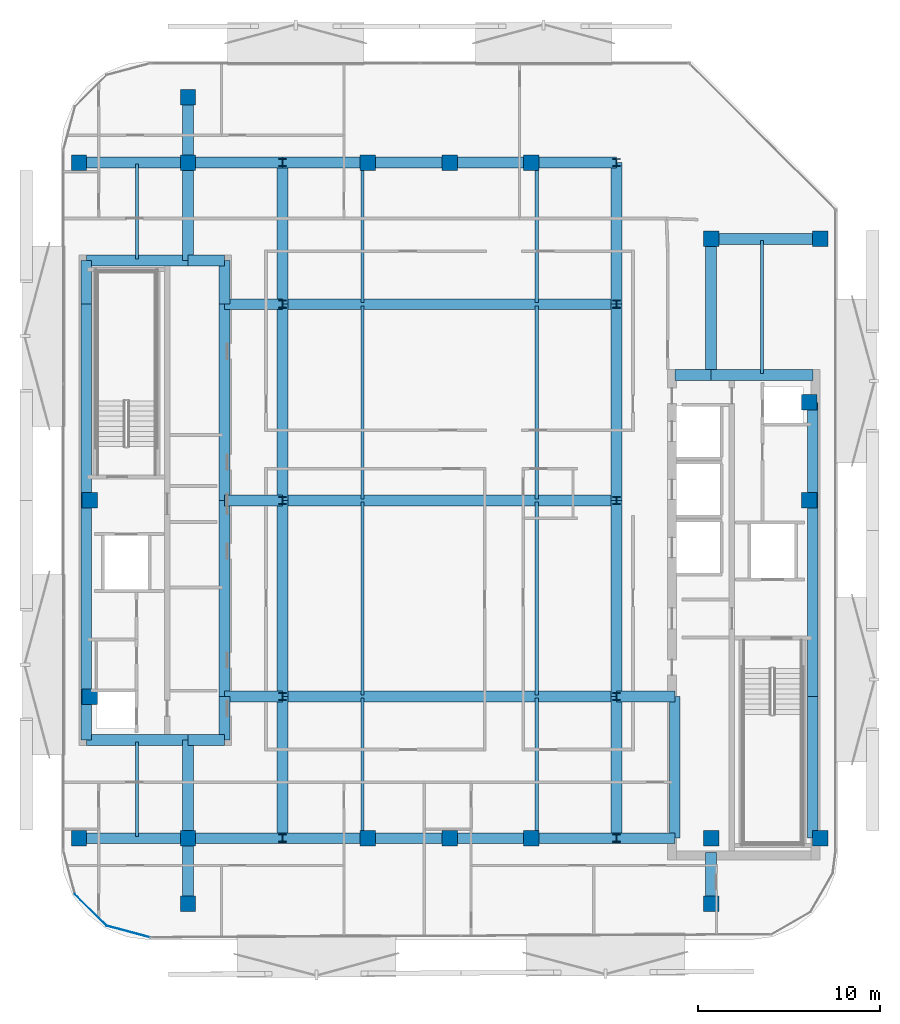
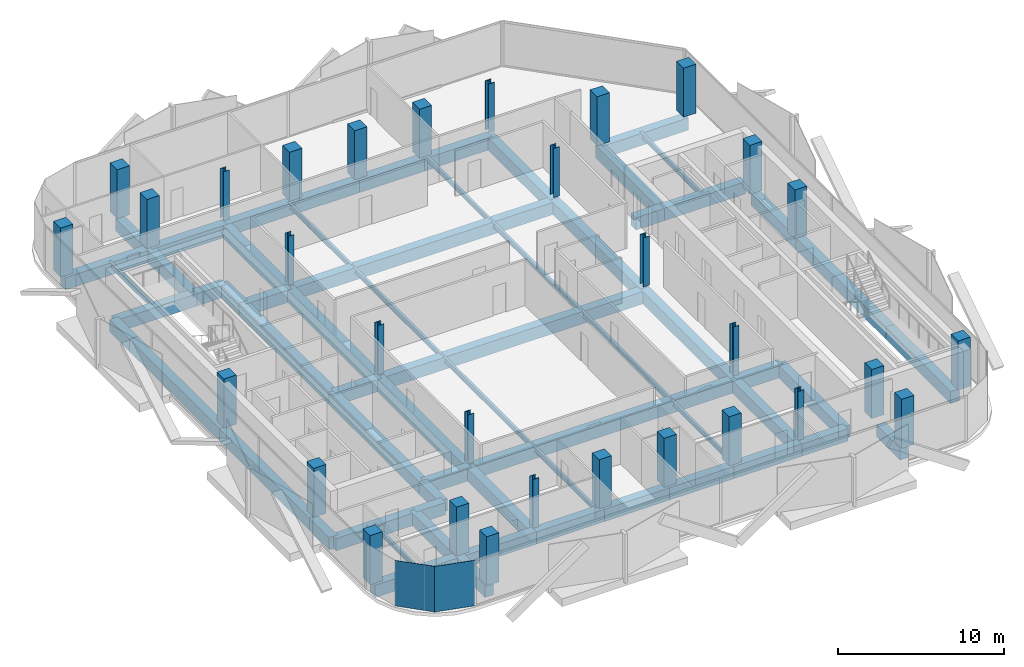
# One storey, part 1 of 15: 64 beams, 31 columns, 2 plates.
"""IFC4 building model written with IfcOpenShell, lengths in metres."""

from ifc_helpers import new_model, si_unit, direction, frame, origin, origin_2d, place, context, subcontext, project, spatial, rectangle, i_section, extrude, material, layer, layer_set, material_profile, profile_set, type_object, element, save


model = new_model("IFC4")

# Units and contexts
model_context = context("Model", 3, precision=1e-05, world=origin(), true_north=direction((0.0, 1.0)))
body_context = subcontext(model_context, "Body", "Model", "MODEL_VIEW")
ifc_project = project(units=[si_unit("LENGTHUNIT", "METRE"), si_unit("AREAUNIT", "SQUARE_METRE"), si_unit("VOLUMEUNIT", "CUBIC_METRE"), si_unit("PLANEANGLEUNIT", "RADIAN"), si_unit("MASSUNIT", "GRAM", prefix="KILO")], contexts=[model_context])

# Site, building, storey
site_placement = place(None, origin())
site = spatial("IfcSite", under=ifc_project, at=site_placement, CompositionType="ELEMENT")
building_placement = place(site_placement, origin())
building = spatial("IfcBuilding", under=site, at=building_placement, Name="Khairoan Windgate Tower", CompositionType="ELEMENT")
storey_placement = place(building_placement, frame((0.0, 0.0, 265.60009765625)))
storey = spatial("IfcBuildingStorey", under=building, at=storey_placement, Name="L63", CompositionType="ELEMENT", Elevation=265.60009765625)

# Columns
ifc_material_1 = material(Name="Concrete C50/60", Category="concrete")
ifc_material_profile_1 = material_profile(ifc_material_1, rectangle(XDim=0.85009765625, YDim=0.85009765625, at=origin_2d()))
ifc_profile_set_1 = profile_set([ifc_material_profile_1], Name="Concrete C50/60")
column_type_1 = type_object("IfcColumnType", Name="Column C-T5 RC850x850", PredefinedType="COLUMN", material=ifc_profile_set_1)
for number, where, z_axis, x_axis, name in (
    (1, (-20.39990234375, -18.60009765625, 0.0), (0.0, 0.0, 1.0), (1.0, 0.0, 0.0), "Column L63-11"),
    (2, (-20.39990234375, 18.60009765625, 0.0), (0.0, 0.0, 1.0), (1.0, 0.0, 0.0), "Column L63-12"),
    (3, (20.39990234375, -18.60009765625, 0.0), (0.0, 0.0, 1.0), (1.0, 0.0, 0.0), "Column L63-13"),
    (4, (20.39990234375, 14.39990234375, 0.0), (0.0, 0.0, 1.0), (1.0, 0.0, 0.0), "Column L63-14"),
    (5, (-14.39990234375, -18.60009765625, 0.0), (0.0, 0.0, 1.0), (1.0, 0.0, 0.0), "Column L63-15"),
    (6, (-14.39990234375, 18.60009765625, 0.0), (0.0, 0.0, 1.0), (1.0, 0.0, 0.0), "Column L63-16"),
    (7, (14.39990234375, -18.60009765625, 0.0), (0.0, 0.0, 1.0), (1.0, 0.0, 0.0), "Column L63-17"),
    (8, (14.39990234375, 14.39990234375, 0.0), (0.0, 0.0, 1.0), (1.0, 0.0, 0.0), "Column L63-18"),
    (9, (-4.5, -18.60009765625, 0.0), (0.0, 0.0, 1.0), (1.0, 0.0, 0.0), "Column L63-19"),
    (10, (0.0, -18.60009765625, 0.0), (0.0, 0.0, 1.0), (1.0, 0.0, 0.0), "Column L63-20"),
    (11, (4.5, -18.60009765625, 0.0), (0.0, 0.0, 1.0), (1.0, 0.0, 0.0), "Column L63-21"),
    (12, (-4.5, 18.60009765625, 0.0), (0.0, 0.0, 1.0), (1.0, 0.0, 0.0), "Column L63-22"),
    (13, (0.0, 18.60009765625, 0.0), (0.0, 0.0, 1.0), (1.0, 0.0, 0.0), "Column L63-23"),
    (14, (4.5, 18.60009765625, 0.0), (0.0, 0.0, 1.0), (1.0, 0.0, 0.0), "Column L63-24"),
    (15, (-19.800048828125, -10.800048828125, 0.0), (0.0, 0.0, 1.0), (1.0, 0.0, 0.0), "Column L63-25"),
    (16, (-19.800048828125, 0.0, 0.0), (0.0, 0.0, 1.0), (1.0, 0.0, 0.0), "Column L63-26"),
    (17, (19.800048828125, 0.0, 0.0), (0.0, 0.0, 1.0), (1.0, 0.0, 0.0), "Column L63-27"),
    (18, (19.800048828125, 5.39990234375, 0.0), (0.0, 0.0, 1.0), (1.0, 0.0, 0.0), "Column L63-28"),
    (19, (-14.39990234375, -22.199951171875, 0.0), (0.0, 0.0, 1.0), (1.0, 0.0, 0.0), "Column L63-29"),
    (20, (-14.39990234375, 22.199951171875, 0.0), (0.0, 0.0, 1.0), (1.0, 0.0, 0.0), "Column L63-30"),
    (21, (14.39990234375, -22.199951171875, 0.0), (0.0, 0.0, 1.0), (1.0, 0.0, 0.0), "Column L63-31"),
):
    element("IfcColumn", number, at=place(storey_placement, frame(where, z_axis=z_axis, x_axis=x_axis)), inside=storey, type_object=column_type_1, Name=name, PredefinedType="COLUMN", context=body_context, shape_type="SweptSolid", body=[
        extrude(rectangle(XDim=0.85009765625, YDim=0.85009765625, at=origin_2d()), origin(), (0.0, 0.0, 1.0), 3.599853515625),
    ])
ifc_material_2 = material(Name="Steel S355", Category="steel")
ifc_material_profile_2 = material_profile(ifc_material_2, i_section(OverallWidth=0.406982421875, OverallDepth=0.427978515625, WebThickness=0.02001953125, FlangeThickness=0.034912109375, FilletRadius=0.02197265625, at=origin_2d()))
ifc_profile_set_2 = profile_set([ifc_material_profile_2], Name="Steel S355")
column_type_2 = type_object("IfcColumnType", Name="Steel Column SC3 H428x407x20x35", PredefinedType="COLUMN", material=ifc_profile_set_2)
for number, where, z_axis, x_axis, name in (
    (22, (-9.199951171875, -18.60009765625, 0.0), (0.0, 0.0, 1.0), (1.0, 0.0, 0.0), "Column L63-01"),
    (23, (-9.199951171875, -10.800048828125, 0.0), (0.0, 0.0, 1.0), (1.0, 0.0, 0.0), "Column L63-02"),
    (24, (-9.199951171875, 0.0, 0.0), (0.0, 0.0, 1.0), (1.0, 0.0, 0.0), "Column L63-03"),
    (25, (-9.199951171875, 10.800048828125, 0.0), (0.0, 0.0, 1.0), (1.0, 0.0, 0.0), "Column L63-04"),
    (26, (-9.199951171875, 18.60009765625, 0.0), (0.0, 0.0, 1.0), (1.0, 0.0, 0.0), "Column L63-05"),
    (27, (9.199951171875, -18.60009765625, 0.0), (0.0, 0.0, 1.0), (1.0, 0.0, 0.0), "Column L63-06"),
    (28, (9.199951171875, -10.800048828125, 0.0), (0.0, 0.0, 1.0), (1.0, 0.0, 0.0), "Column L63-07"),
    (29, (9.199951171875, 0.0, 0.0), (0.0, 0.0, 1.0), (1.0, 0.0, 0.0), "Column L63-08"),
    (30, (9.199951171875, 10.800048828125, 0.0), (0.0, 0.0, 1.0), (1.0, 0.0, 0.0), "Column L63-09"),
    (31, (9.199951171875, 18.60009765625, 0.0), (0.0, 0.0, 1.0), (1.0, 0.0, 0.0), "Column L63-10"),
):
    element("IfcColumn", number, at=place(storey_placement, frame(where, z_axis=z_axis, x_axis=x_axis)), inside=storey, type_object=column_type_2, Name=name, PredefinedType="COLUMN", context=body_context, shape_type="SweptSolid", body=[
        extrude(i_section(OverallWidth=0.406982421875, OverallDepth=0.427978515625, WebThickness=0.02001953125, FlangeThickness=0.034912109375, FilletRadius=0.02197265625, at=origin_2d()), origin(), (0.0, 0.0, 1.0), 3.599853515625),
    ])

# Beams
ifc_material_3 = material(Name="Concrete C50/60", Category="concrete")
ifc_material_profile_3 = material_profile(ifc_material_3, rectangle(XDim=0.60009765625, YDim=0.89990234375, at=origin_2d()))
ifc_profile_set_3 = profile_set([ifc_material_profile_3], Name="Concrete C50/60")
beam_type_1 = type_object("IfcBeamType", Name="Beam B-RC1 RC600x900", PredefinedType="BEAM", material=ifc_profile_set_3)
beam_1_placement = place(storey_placement, frame((-20.39990234375, -18.60009765625, -0.710205078125), z_axis=(1.0, 0.0, 0.0), x_axis=(0.0, 1.0, 0.0)))
element("IfcBeam", 32, at=beam_1_placement, inside=storey, type_object=beam_type_1, Name="L63 E-W Primary Girder 01", PredefinedType="BEAM", context=body_context, shape_type="SweptSolid", body=[
    extrude(rectangle(XDim=0.60009765625, YDim=0.89990234375, at=origin_2d()), origin(), (0.0, 0.0, 1.0), 6.0),
])
beam_2_placement = place(storey_placement, frame((-14.39990234375, -18.60009765625, -0.710205078125), z_axis=(1.0, 0.0, 0.0), x_axis=(0.0, 1.0, 0.0)))
element("IfcBeam", 33, at=beam_2_placement, inside=storey, type_object=beam_type_1, Name="L63 E-W Primary Girder 02", PredefinedType="BEAM", context=body_context, shape_type="SweptSolid", body=[
    extrude(rectangle(XDim=0.60009765625, YDim=0.89990234375, at=origin_2d()), origin(), (0.0, 0.0, 1.0), 5.199951171875),
])
beam_3_placement = place(storey_placement, frame((-9.199951171875, -18.60009765625, -0.710205078125), z_axis=(1.0, 0.0, 0.0), x_axis=(0.0, 1.0, 0.0)))
element("IfcBeam", 34, at=beam_3_placement, inside=storey, type_object=beam_type_1, Name="L63 E-W Primary Girder 03", PredefinedType="BEAM", context=body_context, shape_type="SweptSolid", body=[
    extrude(rectangle(XDim=0.60009765625, YDim=0.89990234375, at=origin_2d()), origin(), (0.0, 0.0, 1.0), 4.699951171875),
])
for number, where, z_axis, x_axis, name in (
    (35, (-4.5, -18.60009765625, -0.710205078125), (1.0, 0.0, 0.0), (0.0, 1.0, 0.0), "L63 E-W Primary Girder 04"),
    (36, (0.0, -18.60009765625, -0.710205078125), (1.0, 0.0, 0.0), (0.0, 1.0, 0.0), "L63 E-W Primary Girder 05"),
):
    element("IfcBeam", number, at=place(storey_placement, frame(where, z_axis=z_axis, x_axis=x_axis)), inside=storey, type_object=beam_type_1, Name=name, PredefinedType="BEAM", context=body_context, shape_type="SweptSolid", body=[
        extrude(rectangle(XDim=0.60009765625, YDim=0.89990234375, at=origin_2d()), origin(), (0.0, 0.0, 1.0), 4.5),
    ])
beam_4_placement = place(storey_placement, frame((4.5, -18.60009765625, -0.710205078125), z_axis=(1.0, 0.0, 0.0), x_axis=(0.0, 1.0, 0.0)))
element("IfcBeam", 37, at=beam_4_placement, inside=storey, type_object=beam_type_1, Name="L63 E-W Primary Girder 06", PredefinedType="BEAM", context=body_context, shape_type="SweptSolid", body=[
    extrude(rectangle(XDim=0.60009765625, YDim=0.89990234375, at=origin_2d()), origin(), (0.0, 0.0, 1.0), 4.699951171875),
])
beam_5_placement = place(storey_placement, frame((9.199951171875, -18.60009765625, -0.710205078125), z_axis=(1.0, 0.0, 0.0), x_axis=(0.0, 1.0, 0.0)))
element("IfcBeam", 38, at=beam_5_placement, inside=storey, type_object=beam_type_1, Name="L63 E-W Primary Girder 07", PredefinedType="BEAM", context=body_context, shape_type="SweptSolid", body=[
    extrude(rectangle(XDim=0.60009765625, YDim=0.89990234375, at=origin_2d()), origin(), (0.0, 0.0, 1.0), 3.199951171875),
])
beam_6_placement = place(storey_placement, frame((-20.0, -13.199951171875, -0.710205078125), z_axis=(1.0, 0.0, 0.0), x_axis=(0.0, 1.0, 0.0)))
element("IfcBeam", 39, at=beam_6_placement, inside=storey, type_object=beam_type_1, Name="L63 E-W Primary Girder 08", PredefinedType="BEAM", context=body_context, shape_type="SweptSolid", body=[
    extrude(rectangle(XDim=0.60009765625, YDim=0.89990234375, at=origin_2d()), origin(), (0.0, 0.0, 1.0), 5.60009765625),
])
beam_7_placement = place(storey_placement, frame((-14.39990234375, -13.199951171875, -0.710205078125), z_axis=(1.0, 0.0, 0.0), x_axis=(0.0, 1.0, 0.0)))
element("IfcBeam", 40, at=beam_7_placement, inside=storey, type_object=beam_type_1, Name="L63 E-W Primary Girder 09", PredefinedType="BEAM", context=body_context, shape_type="SweptSolid", body=[
    extrude(rectangle(XDim=0.60009765625, YDim=0.89990234375, at=origin_2d()), origin(), (0.0, 0.0, 1.0), 2.0),
])
beam_8_placement = place(storey_placement, frame((-12.39990234375, -10.800048828125, -0.710205078125), z_axis=(1.0, 0.0, 0.0), x_axis=(0.0, 1.0, 0.0)))
element("IfcBeam", 41, at=beam_8_placement, inside=storey, type_object=beam_type_1, Name="L63 E-W Primary Girder 10", PredefinedType="BEAM", context=body_context, shape_type="SweptSolid", body=[
    extrude(rectangle(XDim=0.60009765625, YDim=0.89990234375, at=origin_2d()), origin(), (0.0, 0.0, 1.0), 3.199951171875),
])
beam_9_placement = place(storey_placement, frame((-9.199951171875, -10.800048828125, -0.710205078125), z_axis=(1.0, 0.0, 0.0), x_axis=(0.0, 1.0, 0.0)))
element("IfcBeam", 42, at=beam_9_placement, inside=storey, type_object=beam_type_1, Name="L63 E-W Primary Girder 11", PredefinedType="BEAM", context=body_context, shape_type="SweptSolid", body=[
    extrude(rectangle(XDim=0.60009765625, YDim=0.89990234375, at=origin_2d()), origin(), (0.0, 0.0, 1.0), 18.39990234375),
])
for number, where, z_axis, x_axis, name in (
    (43, (9.199951171875, -10.800048828125, -0.710205078125), (1.0, 0.0, 0.0), (0.0, 1.0, 0.0), "L63 E-W Primary Girder 12"),
    (44, (-12.39990234375, 0.0, -0.710205078125), (1.0, 0.0, 0.0), (0.0, 1.0, 0.0), "L63 E-W Primary Girder 13"),
):
    element("IfcBeam", number, at=place(storey_placement, frame(where, z_axis=z_axis, x_axis=x_axis)), inside=storey, type_object=beam_type_1, Name=name, PredefinedType="BEAM", context=body_context, shape_type="SweptSolid", body=[
        extrude(rectangle(XDim=0.60009765625, YDim=0.89990234375, at=origin_2d()), origin(), (0.0, 0.0, 1.0), 3.199951171875),
    ])
beam_10_placement = place(storey_placement, frame((-9.199951171875, 0.0, -0.710205078125), z_axis=(1.0, 0.0, 0.0), x_axis=(0.0, 1.0, 0.0)))
element("IfcBeam", 45, at=beam_10_placement, inside=storey, type_object=beam_type_1, Name="L63 E-W Primary Girder 14", PredefinedType="BEAM", context=body_context, shape_type="SweptSolid", body=[
    extrude(rectangle(XDim=0.60009765625, YDim=0.89990234375, at=origin_2d()), origin(), (0.0, 0.0, 1.0), 18.39990234375),
])
beam_11_placement = place(storey_placement, frame((12.39990234375, 6.89990234375, -0.710205078125), z_axis=(1.0, 0.0, 0.0), x_axis=(0.0, 1.0, 0.0)))
element("IfcBeam", 46, at=beam_11_placement, inside=storey, type_object=beam_type_1, Name="L63 E-W Primary Girder 15", PredefinedType="BEAM", context=body_context, shape_type="SweptSolid", body=[
    extrude(rectangle(XDim=0.60009765625, YDim=0.89990234375, at=origin_2d()), origin(), (0.0, 0.0, 1.0), 2.0),
])
beam_12_placement = place(storey_placement, frame((14.39990234375, 6.89990234375, -0.710205078125), z_axis=(1.0, 0.0, 0.0), x_axis=(0.0, 1.0, 0.0)))
element("IfcBeam", 47, at=beam_12_placement, inside=storey, type_object=beam_type_1, Name="L63 E-W Primary Girder 16", PredefinedType="BEAM", context=body_context, shape_type="SweptSolid", body=[
    extrude(rectangle(XDim=0.60009765625, YDim=0.89990234375, at=origin_2d()), origin(), (0.0, 0.0, 1.0), 5.60009765625),
])
beam_13_placement = place(storey_placement, frame((-12.39990234375, 10.800048828125, -0.710205078125), z_axis=(1.0, 0.0, 0.0), x_axis=(0.0, 1.0, 0.0)))
element("IfcBeam", 48, at=beam_13_placement, inside=storey, type_object=beam_type_1, Name="L63 E-W Primary Girder 17", PredefinedType="BEAM", context=body_context, shape_type="SweptSolid", body=[
    extrude(rectangle(XDim=0.60009765625, YDim=0.89990234375, at=origin_2d()), origin(), (0.0, 0.0, 1.0), 3.199951171875),
])
beam_14_placement = place(storey_placement, frame((-9.199951171875, 10.800048828125, -0.710205078125), z_axis=(1.0, 0.0, 0.0), x_axis=(0.0, 1.0, 0.0)))
element("IfcBeam", 49, at=beam_14_placement, inside=storey, type_object=beam_type_1, Name="L63 E-W Primary Girder 18", PredefinedType="BEAM", context=body_context, shape_type="SweptSolid", body=[
    extrude(rectangle(XDim=0.60009765625, YDim=0.89990234375, at=origin_2d()), origin(), (0.0, 0.0, 1.0), 18.39990234375),
])
beam_15_placement = place(storey_placement, frame((-20.0, 13.199951171875, -0.710205078125), z_axis=(1.0, 0.0, 0.0), x_axis=(0.0, 1.0, 0.0)))
element("IfcBeam", 50, at=beam_15_placement, inside=storey, type_object=beam_type_1, Name="L63 E-W Primary Girder 19", PredefinedType="BEAM", context=body_context, shape_type="SweptSolid", body=[
    extrude(rectangle(XDim=0.60009765625, YDim=0.89990234375, at=origin_2d()), origin(), (0.0, 0.0, 1.0), 5.60009765625),
])
beam_16_placement = place(storey_placement, frame((-14.39990234375, 13.199951171875, -0.710205078125), z_axis=(1.0, 0.0, 0.0), x_axis=(0.0, 1.0, 0.0)))
element("IfcBeam", 51, at=beam_16_placement, inside=storey, type_object=beam_type_1, Name="L63 E-W Primary Girder 20", PredefinedType="BEAM", context=body_context, shape_type="SweptSolid", body=[
    extrude(rectangle(XDim=0.60009765625, YDim=0.89990234375, at=origin_2d()), origin(), (0.0, 0.0, 1.0), 2.0),
])
for number, where, z_axis, x_axis, name in (
    (52, (14.39990234375, 14.39990234375, -0.710205078125), (1.0, 0.0, 0.0), (0.0, 1.0, 0.0), "L63 E-W Primary Girder 21"),
    (53, (-20.39990234375, 18.60009765625, -0.710205078125), (1.0, 0.0, 0.0), (0.0, 1.0, 0.0), "L63 E-W Primary Girder 22"),
):
    element("IfcBeam", number, at=place(storey_placement, frame(where, z_axis=z_axis, x_axis=x_axis)), inside=storey, type_object=beam_type_1, Name=name, PredefinedType="BEAM", context=body_context, shape_type="SweptSolid", body=[
        extrude(rectangle(XDim=0.60009765625, YDim=0.89990234375, at=origin_2d()), origin(), (0.0, 0.0, 1.0), 6.0),
    ])
beam_17_placement = place(storey_placement, frame((-14.39990234375, 18.60009765625, -0.710205078125), z_axis=(1.0, 0.0, 0.0), x_axis=(0.0, 1.0, 0.0)))
element("IfcBeam", 54, at=beam_17_placement, inside=storey, type_object=beam_type_1, Name="L63 E-W Primary Girder 23", PredefinedType="BEAM", context=body_context, shape_type="SweptSolid", body=[
    extrude(rectangle(XDim=0.60009765625, YDim=0.89990234375, at=origin_2d()), origin(), (0.0, 0.0, 1.0), 5.199951171875),
])
beam_18_placement = place(storey_placement, frame((-9.199951171875, 18.60009765625, -0.710205078125), z_axis=(1.0, 0.0, 0.0), x_axis=(0.0, 1.0, 0.0)))
element("IfcBeam", 55, at=beam_18_placement, inside=storey, type_object=beam_type_1, Name="L63 E-W Primary Girder 24", PredefinedType="BEAM", context=body_context, shape_type="SweptSolid", body=[
    extrude(rectangle(XDim=0.60009765625, YDim=0.89990234375, at=origin_2d()), origin(), (0.0, 0.0, 1.0), 4.699951171875),
])
for number, where, z_axis, x_axis, name in (
    (56, (-4.5, 18.60009765625, -0.710205078125), (1.0, 0.0, 0.0), (0.0, 1.0, 0.0), "L63 E-W Primary Girder 25"),
    (57, (0.0, 18.60009765625, -0.710205078125), (1.0, 0.0, 0.0), (0.0, 1.0, 0.0), "L63 E-W Primary Girder 26"),
):
    element("IfcBeam", number, at=place(storey_placement, frame(where, z_axis=z_axis, x_axis=x_axis)), inside=storey, type_object=beam_type_1, Name=name, PredefinedType="BEAM", context=body_context, shape_type="SweptSolid", body=[
        extrude(rectangle(XDim=0.60009765625, YDim=0.89990234375, at=origin_2d()), origin(), (0.0, 0.0, 1.0), 4.5),
    ])
beam_19_placement = place(storey_placement, frame((4.5, 18.60009765625, -0.710205078125), z_axis=(1.0, 0.0, 0.0), x_axis=(0.0, 1.0, 0.0)))
element("IfcBeam", 58, at=beam_19_placement, inside=storey, type_object=beam_type_1, Name="L63 E-W Primary Girder 27", PredefinedType="BEAM", context=body_context, shape_type="SweptSolid", body=[
    extrude(rectangle(XDim=0.60009765625, YDim=0.89990234375, at=origin_2d()), origin(), (0.0, 0.0, 1.0), 4.699951171875),
])
beam_20_placement = place(storey_placement, frame((-20.0, -13.199951171875, -0.710205078125), z_axis=(0.0, 1.0, 0.0), x_axis=(-1.0, 0.0, 0.0)))
element("IfcBeam", 59, at=beam_20_placement, inside=storey, type_object=beam_type_1, Name="L63 N-S Primary Beam 28", PredefinedType="BEAM", context=body_context, shape_type="SweptSolid", body=[
    extrude(rectangle(XDim=0.60009765625, YDim=0.89990234375, at=origin_2d()), origin(), (0.0, 0.0, 1.0), 2.39990234375),
])
for number, where, z_axis, x_axis, name in (
    (60, (-20.0, -10.800048828125, -0.710205078125), (0.0, 1.0, 0.0), (-1.0, 0.0, 0.0), "L63 N-S Primary Beam 29"),
    (61, (-20.0, 0.0, -0.710205078125), (0.0, 1.0, 0.0), (-1.0, 0.0, 0.0), "L63 N-S Primary Beam 30"),
):
    element("IfcBeam", number, at=place(storey_placement, frame(where, z_axis=z_axis, x_axis=x_axis)), inside=storey, type_object=beam_type_1, Name=name, PredefinedType="BEAM", context=body_context, shape_type="SweptSolid", body=[
        extrude(rectangle(XDim=0.60009765625, YDim=0.89990234375, at=origin_2d()), origin(), (0.0, 0.0, 1.0), 10.800048828125),
    ])
beam_21_placement = place(storey_placement, frame((-20.0, 10.800048828125, -0.710205078125), z_axis=(0.0, 1.0, 0.0), x_axis=(-1.0, 0.0, 0.0)))
element("IfcBeam", 62, at=beam_21_placement, inside=storey, type_object=beam_type_1, Name="L63 N-S Primary Beam 31", PredefinedType="BEAM", context=body_context, shape_type="SweptSolid", body=[
    extrude(rectangle(XDim=0.60009765625, YDim=0.89990234375, at=origin_2d()), origin(), (0.0, 0.0, 1.0), 2.39990234375),
])
beam_22_placement = place(storey_placement, frame((-14.39990234375, -22.199951171875, -0.710205078125), z_axis=(0.0, 1.0, 0.0), x_axis=(-1.0, 0.0, 0.0)))
element("IfcBeam", 63, at=beam_22_placement, inside=storey, type_object=beam_type_1, Name="L63 N-S Primary Beam 32", PredefinedType="BEAM", context=body_context, shape_type="SweptSolid", body=[
    extrude(rectangle(XDim=0.60009765625, YDim=0.89990234375, at=origin_2d()), origin(), (0.0, 0.0, 1.0), 3.599853515625),
])
for number, where, z_axis, x_axis, name in (
    (64, (-14.39990234375, -18.60009765625, -0.710205078125), (0.0, 1.0, 0.0), (-1.0, 0.0, 0.0), "L63 N-S Primary Beam 33"),
    (65, (-14.39990234375, 13.199951171875, -0.710205078125), (0.0, 1.0, 0.0), (-1.0, 0.0, 0.0), "L63 N-S Primary Beam 34"),
):
    element("IfcBeam", number, at=place(storey_placement, frame(where, z_axis=z_axis, x_axis=x_axis)), inside=storey, type_object=beam_type_1, Name=name, PredefinedType="BEAM", context=body_context, shape_type="SweptSolid", body=[
        extrude(rectangle(XDim=0.60009765625, YDim=0.89990234375, at=origin_2d()), origin(), (0.0, 0.0, 1.0), 5.400146484375),
    ])
beam_23_placement = place(storey_placement, frame((-14.39990234375, 18.60009765625, -0.710205078125), z_axis=(0.0, 1.0, 0.0), x_axis=(-1.0, 0.0, 0.0)))
element("IfcBeam", 66, at=beam_23_placement, inside=storey, type_object=beam_type_1, Name="L63 N-S Primary Beam 35", PredefinedType="BEAM", context=body_context, shape_type="SweptSolid", body=[
    extrude(rectangle(XDim=0.60009765625, YDim=0.89990234375, at=origin_2d()), origin(), (0.0, 0.0, 1.0), 3.599853515625),
])
beam_24_placement = place(storey_placement, frame((-12.39990234375, -13.199951171875, -0.710205078125), z_axis=(0.0, 1.0, 0.0), x_axis=(-1.0, 0.0, 0.0)))
element("IfcBeam", 67, at=beam_24_placement, inside=storey, type_object=beam_type_1, Name="L63 N-S Primary Beam 36", PredefinedType="BEAM", context=body_context, shape_type="SweptSolid", body=[
    extrude(rectangle(XDim=0.60009765625, YDim=0.89990234375, at=origin_2d()), origin(), (0.0, 0.0, 1.0), 2.39990234375),
])
for number, where, z_axis, x_axis, name in (
    (68, (-12.39990234375, -10.800048828125, -0.710205078125), (0.0, 1.0, 0.0), (-1.0, 0.0, 0.0), "L63 N-S Primary Beam 37"),
    (69, (-12.39990234375, 0.0, -0.710205078125), (0.0, 1.0, 0.0), (-1.0, 0.0, 0.0), "L63 N-S Primary Beam 38"),
):
    element("IfcBeam", number, at=place(storey_placement, frame(where, z_axis=z_axis, x_axis=x_axis)), inside=storey, type_object=beam_type_1, Name=name, PredefinedType="BEAM", context=body_context, shape_type="SweptSolid", body=[
        extrude(rectangle(XDim=0.60009765625, YDim=0.89990234375, at=origin_2d()), origin(), (0.0, 0.0, 1.0), 10.800048828125),
    ])
beam_25_placement = place(storey_placement, frame((-12.39990234375, 10.800048828125, -0.710205078125), z_axis=(0.0, 1.0, 0.0), x_axis=(-1.0, 0.0, 0.0)))
element("IfcBeam", 70, at=beam_25_placement, inside=storey, type_object=beam_type_1, Name="L63 N-S Primary Beam 39", PredefinedType="BEAM", context=body_context, shape_type="SweptSolid", body=[
    extrude(rectangle(XDim=0.60009765625, YDim=0.89990234375, at=origin_2d()), origin(), (0.0, 0.0, 1.0), 2.39990234375),
])
beam_26_placement = place(storey_placement, frame((-9.199951171875, -18.60009765625, -0.710205078125), z_axis=(0.0, 1.0, 0.0), x_axis=(-1.0, 0.0, 0.0)))
element("IfcBeam", 71, at=beam_26_placement, inside=storey, type_object=beam_type_1, Name="L63 N-S Primary Beam 40", PredefinedType="BEAM", context=body_context, shape_type="SweptSolid", body=[
    extrude(rectangle(XDim=0.60009765625, YDim=0.89990234375, at=origin_2d()), origin(), (0.0, 0.0, 1.0), 7.800048828125),
])
for number, where, z_axis, x_axis, name in (
    (72, (-9.199951171875, -10.800048828125, -0.710205078125), (0.0, 1.0, 0.0), (-1.0, 0.0, 0.0), "L63 N-S Primary Beam 41"),
    (73, (-9.199951171875, 0.0, -0.710205078125), (0.0, 1.0, 0.0), (-1.0, 0.0, 0.0), "L63 N-S Primary Beam 42"),
):
    element("IfcBeam", number, at=place(storey_placement, frame(where, z_axis=z_axis, x_axis=x_axis)), inside=storey, type_object=beam_type_1, Name=name, PredefinedType="BEAM", context=body_context, shape_type="SweptSolid", body=[
        extrude(rectangle(XDim=0.60009765625, YDim=0.89990234375, at=origin_2d()), origin(), (0.0, 0.0, 1.0), 10.800048828125),
    ])
for number, where, z_axis, x_axis, name in (
    (74, (-9.199951171875, 10.800048828125, -0.710205078125), (0.0, 1.0, 0.0), (-1.0, 0.0, 0.0), "L63 N-S Primary Beam 43"),
    (75, (9.199951171875, -18.60009765625, -0.710205078125), (0.0, 1.0, 0.0), (-1.0, 0.0, 0.0), "L63 N-S Primary Beam 44"),
):
    element("IfcBeam", number, at=place(storey_placement, frame(where, z_axis=z_axis, x_axis=x_axis)), inside=storey, type_object=beam_type_1, Name=name, PredefinedType="BEAM", context=body_context, shape_type="SweptSolid", body=[
        extrude(rectangle(XDim=0.60009765625, YDim=0.89990234375, at=origin_2d()), origin(), (0.0, 0.0, 1.0), 7.800048828125),
    ])
for number, where, z_axis, x_axis, name in (
    (76, (9.199951171875, -10.800048828125, -0.710205078125), (0.0, 1.0, 0.0), (-1.0, 0.0, 0.0), "L63 N-S Primary Beam 45"),
    (77, (9.199951171875, 0.0, -0.710205078125), (0.0, 1.0, 0.0), (-1.0, 0.0, 0.0), "L63 N-S Primary Beam 46"),
):
    element("IfcBeam", number, at=place(storey_placement, frame(where, z_axis=z_axis, x_axis=x_axis)), inside=storey, type_object=beam_type_1, Name=name, PredefinedType="BEAM", context=body_context, shape_type="SweptSolid", body=[
        extrude(rectangle(XDim=0.60009765625, YDim=0.89990234375, at=origin_2d()), origin(), (0.0, 0.0, 1.0), 10.800048828125),
    ])
for number, where, z_axis, x_axis, name in (
    (78, (9.199951171875, 10.800048828125, -0.710205078125), (0.0, 1.0, 0.0), (-1.0, 0.0, 0.0), "L63 N-S Primary Beam 47"),
    (79, (12.39990234375, -18.60009765625, -0.710205078125), (0.0, 1.0, 0.0), (-1.0, 0.0, 0.0), "L63 N-S Primary Beam 48"),
):
    element("IfcBeam", number, at=place(storey_placement, frame(where, z_axis=z_axis, x_axis=x_axis)), inside=storey, type_object=beam_type_1, Name=name, PredefinedType="BEAM", context=body_context, shape_type="SweptSolid", body=[
        extrude(rectangle(XDim=0.60009765625, YDim=0.89990234375, at=origin_2d()), origin(), (0.0, 0.0, 1.0), 7.800048828125),
    ])
beam_27_placement = place(storey_placement, frame((14.39990234375, -22.199951171875, -0.710205078125), z_axis=(0.0, 1.0, 0.0), x_axis=(-1.0, 0.0, 0.0)))
element("IfcBeam", 80, at=beam_27_placement, inside=storey, type_object=beam_type_1, Name="L63 N-S Primary Beam 49", PredefinedType="BEAM", context=body_context, shape_type="SweptSolid", body=[
    extrude(rectangle(XDim=0.60009765625, YDim=0.89990234375, at=origin_2d()), origin(), (0.0, 0.0, 1.0), 2.800048828125),
])
beam_28_placement = place(storey_placement, frame((14.39990234375, 6.89990234375, -0.710205078125), z_axis=(0.0, 1.0, 0.0), x_axis=(-1.0, 0.0, 0.0)))
element("IfcBeam", 81, at=beam_28_placement, inside=storey, type_object=beam_type_1, Name="L63 N-S Primary Beam 50", PredefinedType="BEAM", context=body_context, shape_type="SweptSolid", body=[
    extrude(rectangle(XDim=0.60009765625, YDim=0.89990234375, at=origin_2d()), origin(), (0.0, 0.0, 1.0), 7.5),
])
beam_29_placement = place(storey_placement, frame((20.0, -18.60009765625, -0.710205078125), z_axis=(0.0, 1.0, 0.0), x_axis=(-1.0, 0.0, 0.0)))
element("IfcBeam", 82, at=beam_29_placement, inside=storey, type_object=beam_type_1, Name="L63 N-S Primary Beam 51", PredefinedType="BEAM", context=body_context, shape_type="SweptSolid", body=[
    extrude(rectangle(XDim=0.60009765625, YDim=0.89990234375, at=origin_2d()), origin(), (0.0, 0.0, 1.0), 7.800048828125),
])
beam_30_placement = place(storey_placement, frame((20.0, -10.800048828125, -0.710205078125), z_axis=(0.0, 1.0, 0.0), x_axis=(-1.0, 0.0, 0.0)))
element("IfcBeam", 83, at=beam_30_placement, inside=storey, type_object=beam_type_1, Name="L63 N-S Primary Beam 52", PredefinedType="BEAM", context=body_context, shape_type="SweptSolid", body=[
    extrude(rectangle(XDim=0.60009765625, YDim=0.89990234375, at=origin_2d()), origin(), (0.0, 0.0, 1.0), 10.800048828125),
])
beam_31_placement = place(storey_placement, frame((20.0, 0.0, -0.710205078125), z_axis=(0.0, 1.0, 0.0), x_axis=(-1.0, 0.0, 0.0)))
element("IfcBeam", 84, at=beam_31_placement, inside=storey, type_object=beam_type_1, Name="L63 N-S Primary Beam 53", PredefinedType="BEAM", context=body_context, shape_type="SweptSolid", body=[
    extrude(rectangle(XDim=0.60009765625, YDim=0.89990234375, at=origin_2d()), origin(), (0.0, 0.0, 1.0), 5.39990234375),
])
ifc_material_4 = material(Name="Steel S355", Category="steel")
ifc_material_profile_4 = material_profile(ifc_material_4, i_section(OverallWidth=0.175048828125, OverallDepth=0.35009765625, WebThickness=0.007080078125, FlangeThickness=0.010986328125, FilletRadius=0.013916015625, at=origin_2d()))
ifc_profile_set_4 = profile_set([ifc_material_profile_4], Name="Steel S355")
beam_type_2 = type_object("IfcBeamType", Name="Beam J-S5 H350x175x7x11", PredefinedType="JOIST", material=ifc_profile_set_4)
for number, where, z_axis, x_axis, name in (
    (85, (-17.199951171875, -18.510009765625, -0.43505859375), (0.0, 1.0, 0.0), (-1.0, 0.0, 0.0), "L63 Secondary Floor Joist 01"),
    (86, (-17.199951171875, 13.2900390625, -0.43505859375), (0.0, 1.0, 0.0), (-1.0, 0.0, 0.0), "L63 Secondary Floor Joist 02"),
):
    element("IfcBeam", number, at=place(storey_placement, frame(where, z_axis=z_axis, x_axis=x_axis)), inside=storey, type_object=beam_type_2, Name=name, PredefinedType="JOIST", context=body_context, shape_type="SweptSolid", body=[
        extrude(i_section(OverallWidth=0.175048828125, OverallDepth=0.35009765625, WebThickness=0.007080078125, FlangeThickness=0.010986328125, FilletRadius=0.013916015625, at=origin_2d()), origin(), (0.0, 0.0, 1.0), 5.219970703125),
    ])
beam_32_placement = place(storey_placement, frame((-4.800048828125, -18.510009765625, -0.43505859375), z_axis=(0.0, 1.0, 0.0), x_axis=(-1.0, 0.0, 0.0)))
element("IfcBeam", 87, at=beam_32_placement, inside=storey, type_object=beam_type_2, Name="L63 Secondary Floor Joist 03", PredefinedType="JOIST", context=body_context, shape_type="SweptSolid", body=[
    extrude(i_section(OverallWidth=0.175048828125, OverallDepth=0.35009765625, WebThickness=0.007080078125, FlangeThickness=0.010986328125, FilletRadius=0.013916015625, at=origin_2d()), origin(), (0.0, 0.0, 1.0), 7.6201171875),
])
for number, where, z_axis, x_axis, name in (
    (88, (-4.800048828125, -10.7099609375, -0.43505859375), (0.0, 1.0, 0.0), (-1.0, 0.0, 0.0), "L63 Secondary Floor Joist 04"),
    (89, (-4.800048828125, 0.090087890625, -0.43505859375), (0.0, 1.0, 0.0), (-1.0, 0.0, 0.0), "L63 Secondary Floor Joist 05"),
):
    element("IfcBeam", number, at=place(storey_placement, frame(where, z_axis=z_axis, x_axis=x_axis)), inside=storey, type_object=beam_type_2, Name=name, PredefinedType="JOIST", context=body_context, shape_type="SweptSolid", body=[
        extrude(i_section(OverallWidth=0.175048828125, OverallDepth=0.35009765625, WebThickness=0.007080078125, FlangeThickness=0.010986328125, FilletRadius=0.013916015625, at=origin_2d()), origin(), (0.0, 0.0, 1.0), 10.619873046875),
    ])
for number, where, z_axis, x_axis, name in (
    (90, (-4.800048828125, 10.889892578125, -0.43505859375), (0.0, 1.0, 0.0), (-1.0, 0.0, 0.0), "L63 Secondary Floor Joist 06"),
    (91, (4.800048828125, -18.510009765625, -0.43505859375), (0.0, 1.0, 0.0), (-1.0, 0.0, 0.0), "L63 Secondary Floor Joist 07"),
):
    element("IfcBeam", number, at=place(storey_placement, frame(where, z_axis=z_axis, x_axis=x_axis)), inside=storey, type_object=beam_type_2, Name=name, PredefinedType="JOIST", context=body_context, shape_type="SweptSolid", body=[
        extrude(i_section(OverallWidth=0.175048828125, OverallDepth=0.35009765625, WebThickness=0.007080078125, FlangeThickness=0.010986328125, FilletRadius=0.013916015625, at=origin_2d()), origin(), (0.0, 0.0, 1.0), 7.6201171875),
    ])
for number, where, z_axis, x_axis, name in (
    (92, (4.800048828125, -10.7099609375, -0.43505859375), (0.0, 1.0, 0.0), (-1.0, 0.0, 0.0), "L63 Secondary Floor Joist 08"),
    (93, (4.800048828125, 0.090087890625, -0.43505859375), (0.0, 1.0, 0.0), (-1.0, 0.0, 0.0), "L63 Secondary Floor Joist 09"),
):
    element("IfcBeam", number, at=place(storey_placement, frame(where, z_axis=z_axis, x_axis=x_axis)), inside=storey, type_object=beam_type_2, Name=name, PredefinedType="JOIST", context=body_context, shape_type="SweptSolid", body=[
        extrude(i_section(OverallWidth=0.175048828125, OverallDepth=0.35009765625, WebThickness=0.007080078125, FlangeThickness=0.010986328125, FilletRadius=0.013916015625, at=origin_2d()), origin(), (0.0, 0.0, 1.0), 10.619873046875),
    ])
beam_33_placement = place(storey_placement, frame((4.800048828125, 10.889892578125, -0.43505859375), z_axis=(0.0, 1.0, 0.0), x_axis=(-1.0, 0.0, 0.0)))
element("IfcBeam", 94, at=beam_33_placement, inside=storey, type_object=beam_type_2, Name="L63 Secondary Floor Joist 10", PredefinedType="JOIST", context=body_context, shape_type="SweptSolid", body=[
    extrude(i_section(OverallWidth=0.175048828125, OverallDepth=0.35009765625, WebThickness=0.007080078125, FlangeThickness=0.010986328125, FilletRadius=0.013916015625, at=origin_2d()), origin(), (0.0, 0.0, 1.0), 7.6201171875),
])
beam_34_placement = place(storey_placement, frame((17.199951171875, 6.989990234375, -0.43505859375), z_axis=(0.0, 1.0, 0.0), x_axis=(-1.0, 0.0, 0.0)))
element("IfcBeam", 95, at=beam_34_placement, inside=storey, type_object=beam_type_2, Name="L63 Secondary Floor Joist 11", PredefinedType="JOIST", context=body_context, shape_type="SweptSolid", body=[
    extrude(i_section(OverallWidth=0.175048828125, OverallDepth=0.35009765625, WebThickness=0.007080078125, FlangeThickness=0.010986328125, FilletRadius=0.013916015625, at=origin_2d()), origin(), (0.0, 0.0, 1.0), 7.320068359375),
])

# Plates
ifc_material_5 = material(Name="Low-E Solar Control Laminated Glass", Category="glass")
ifc_layer = layer(ifc_material_5, 0.030029296875, Name="Low-E Solar Control Laminated Glass")
ifc_layer_set = layer_set([ifc_layer], Name="Low-E Solar Control Laminated Glass")
plate_type = type_object("IfcPlateType", Name="Aerodynamic Wind-Corner Curved Glazing Plate", PredefinedType="USERDEFINED", material=ifc_layer_set)
plate_1_placement = place(storey_placement, frame((-17.68505859375, -23.740478515625, 0.0), z_axis=(0.0, 0.0, 1.0), x_axis=(-0.966061211211, 0.258313252067, 0.0)))
element("IfcPlate", 96, at=plate_1_placement, inside=storey, type_object=plate_type, Name="L63 Aerodynamic Wind-Corner Curved Glazing Panel 2", ObjectType="GLAZING PANEL", PredefinedType="USERDEFINED", context=body_context, shape_type="SweptSolid", body=[
    extrude(rectangle(XDim=2.512451171875, YDim=0.030029296875, at=origin_2d()), origin(), (0.0, 0.0, 1.0), 3.340087890625),
])
plate_2_placement = place(storey_placement, frame((-19.750244140625, -22.55029296875, 0.0), z_axis=(0.0, 0.0, 1.0), x_axis=(-0.707106781187, 0.707106781187, 0.0)))
element("IfcPlate", 97, at=plate_2_placement, inside=storey, type_object=plate_type, Name="L63 Aerodynamic Wind-Corner Curved Glazing Panel 3", ObjectType="GLAZING PANEL", PredefinedType="USERDEFINED", context=body_context, shape_type="SweptSolid", body=[
    extrude(rectangle(XDim=2.50341796875, YDim=0.030029296875, at=origin_2d()), origin(), (0.0, 0.0, 1.0), 3.340087890625),
])

save(model, "model.ifc")
